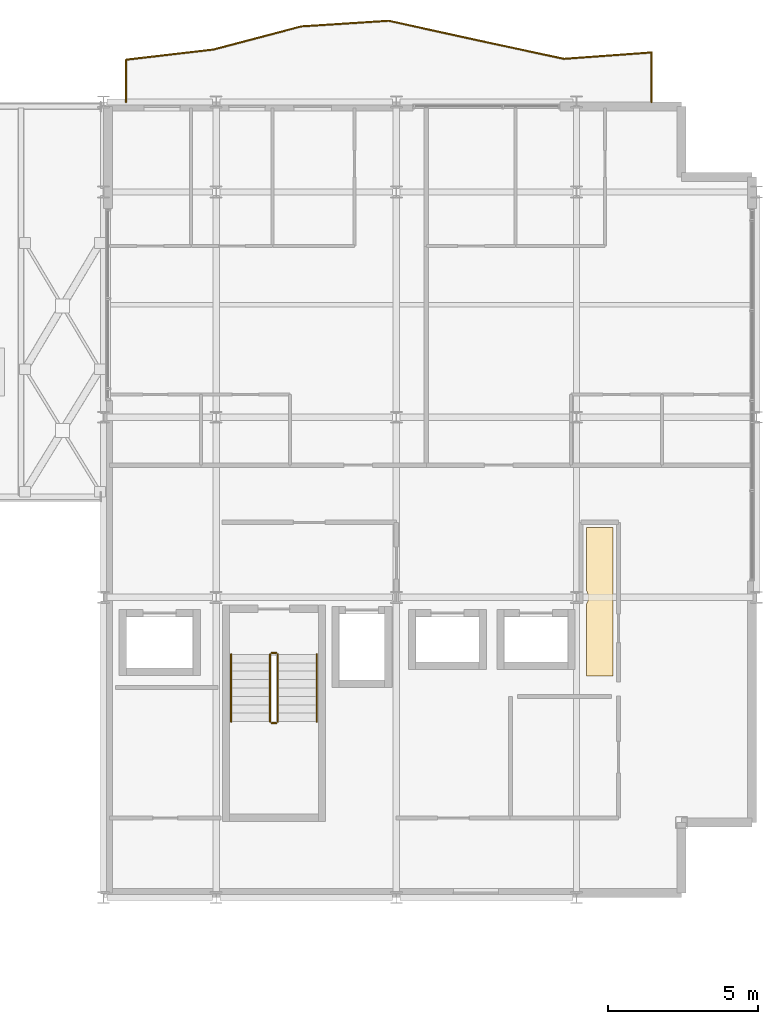
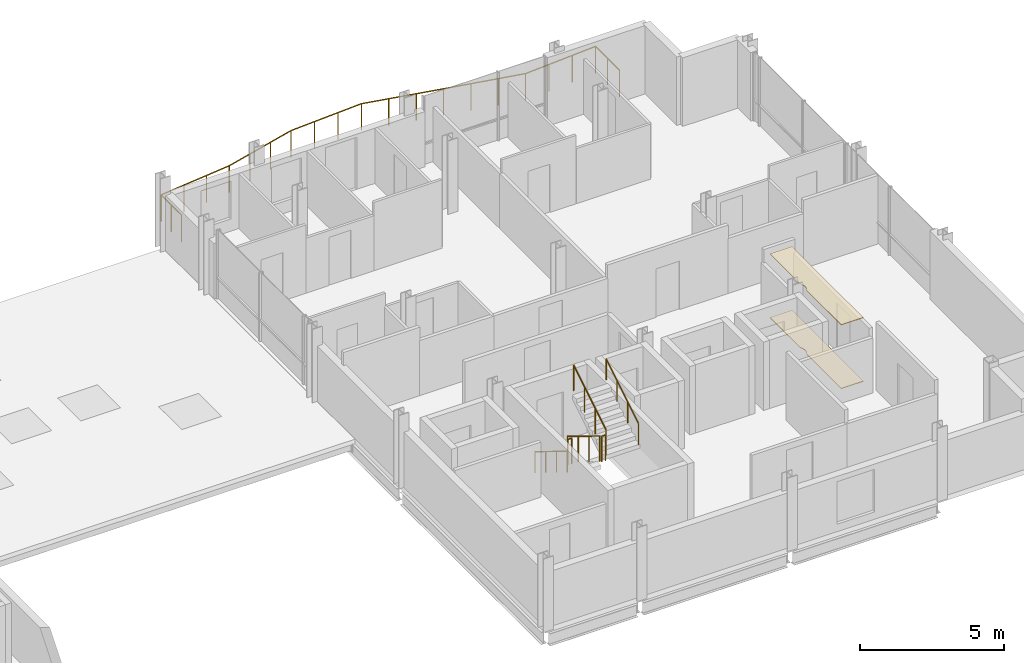
# One storey, part 33 of 33: 7 railings, 2 coverings.
"""IFC4 building model written with IfcOpenShell, lengths in metres."""

from ifc_helpers import new_model, si_unit, direction, frame, origin, origin_2d, place, context, subcontext, project, spatial, polyline, circle, outline, extrude, material, layer, layer_set, type_object, element, save


model = new_model("IFC4")

# Units and contexts
model_context = context("Model", 3, precision=1e-05, world=origin(), true_north=direction((0.0, 1.0)))
body_context = subcontext(model_context, "Body", "Model", "MODEL_VIEW")
ifc_project = project(units=[si_unit("LENGTHUNIT", "METRE"), si_unit("AREAUNIT", "SQUARE_METRE"), si_unit("VOLUMEUNIT", "CUBIC_METRE"), si_unit("PLANEANGLEUNIT", "RADIAN"), si_unit("MASSUNIT", "GRAM", prefix="KILO")], contexts=[model_context])

# Site, building, storey
site_placement = place(None, origin())
site = spatial("IfcSite", under=ifc_project, at=site_placement, CompositionType="ELEMENT")
building_placement = place(site_placement, origin())
building = spatial("IfcBuilding", under=site, at=building_placement, Name="Brevholm Reach", CompositionType="ELEMENT")
storey_placement = place(building_placement, frame((0.0, 0.0, 189.39990234375)))
storey = spatial("IfcBuildingStorey", under=building, at=storey_placement, Name="L57", CompositionType="ELEMENT", Elevation=189.39990234375)

# Coverings
ifc_material_1 = material(Name="Moisture-Resistant Skimmed Gypsum Plasterboard Ceiling", Category="gypsum")
ifc_layer_1 = layer(ifc_material_1, 0.030029296875)
ifc_layer_set_1 = layer_set([ifc_layer_1], Name="Moisture-Resistant Skimmed Gypsum Plasterboard Ceiling")
covering_type_1 = type_object("IfcCoveringType", Name="COV-CLG-GYP", PredefinedType="CEILING", material=ifc_layer_set_1)
covering_1_placement = place(storey_placement, frame((0.0, 0.0, 2.690185546875)))
element("IfcCovering", 1, at=covering_1_placement, inside=storey, type_object=covering_type_1, Name="L57 Suspended Ceiling L57-21", PredefinedType="CEILING", context=body_context, shape_type="SweptSolid", body=[
    extrude(outline(polyline([(54.330078125, 9.7626953125), (54.33056640625, 9.764892578125), (54.33251953125, 9.777587890625), (54.33251953125, 9.77783203125), (54.352783203125, 9.811279296875), (54.36962890625, 9.846923828125), (54.3828125, 9.8837890625), (54.392333984375, 9.922119140625), (54.398193359375, 9.960693359375), (54.39990234375, 10.0), (54.398193359375, 10.039306640625), (54.392333984375, 10.077880859375), (54.3828125, 10.1162109375), (54.36962890625, 10.153076171875), (54.352783203125, 10.188720703125), (54.333984375, 10.219970703125), (54.333984375, 12.320068359375), (55.216064453125, 12.320068359375), (55.216064453125, 7.3798828125), (54.330078125, 7.3798828125), (54.330078125, 9.7626953125)])), origin(), (0.0, 0.0, 1.0), 0.030029296875),
])
ifc_material_2 = material(Name="Honed Portland-Aggregate Resin Terrazzo Flooring", Category="concrete")
ifc_layer_2 = layer(ifc_material_2, 0.031982421875)
ifc_layer_set_2 = layer_set([ifc_layer_2], Name="Honed Portland-Aggregate Resin Terrazzo Flooring")
covering_type_2 = type_object("IfcCoveringType", Name="COV-FLR-TRZ", PredefinedType="FLOORING", material=ifc_layer_set_2)
covering_2_placement = place(storey_placement, origin())
element("IfcCovering", 2, at=covering_2_placement, inside=storey, type_object=covering_type_2, Name="L57 Floor Finish L57-21", PredefinedType="FLOORING", context=body_context, shape_type="SweptSolid", body=[
    extrude(outline(polyline([(54.330078125, 9.7626953125), (54.33056640625, 9.764892578125), (54.33251953125, 9.777587890625), (54.33251953125, 9.77783203125), (54.352783203125, 9.811279296875), (54.36962890625, 9.846923828125), (54.3828125, 9.8837890625), (54.392333984375, 9.922119140625), (54.398193359375, 9.960693359375), (54.39990234375, 10.0), (54.398193359375, 10.039306640625), (54.392333984375, 10.077880859375), (54.3828125, 10.1162109375), (54.36962890625, 10.153076171875), (54.352783203125, 10.188720703125), (54.333984375, 10.219970703125), (54.333984375, 12.320068359375), (55.216064453125, 12.320068359375), (55.216064453125, 7.3798828125), (54.330078125, 7.3798828125), (54.330078125, 9.7626953125)])), origin(), (0.0, 0.0, 1.0), 0.031982421875),
])

# Railings
ifc_material_3 = material(Name="Brushed Stainless Steel EN 1.4401 and Laminated Glass", Category="steel")
railing_type_1 = type_object("IfcRailingType", Name="RAL-BALC-1150", PredefinedType="BALUSTRADE", material=ifc_material_3)
railing_1_placement = place(storey_placement, frame((56.5, 26.5, 0.0)))
element("IfcRailing", 3, at=railing_1_placement, inside=storey, type_object=railing_type_1, Name="L57 Guard Balustrade RAL-L57-BAL-NE", PredefinedType="BALUSTRADE", context=body_context, shape_type="SweptSolid", body=[
    extrude(circle(Radius=0.02392578125, at=origin_2d()), frame((0.0, 0.0, 1.1259765625), z_axis=(0.0, 1.0, 0.0), x_axis=(-1.0, 0.0, 0.0)), (0.0, 0.0, 1.0), 1.650146484375),
    extrude(circle(Radius=0.02392578125, at=origin_2d()), frame((0.0, 1.650146484375, 1.1259765625), z_axis=(-0.997334760815, -0.072961461535, 0.0), x_axis=(0.072961461535, -0.997334760815, 0.0)), (0.0, 0.0, 1.0), 2.924560546875),
    extrude(circle(Radius=0.02392578125, at=origin_2d()), frame((-2.916748046875, 1.436767578125, 1.1259765625), z_axis=(-0.977699293222, 0.21000974271, 0.0), x_axis=(-0.21000974271, -0.977699293222, 0.0)), (0.0, 0.0, 1.0), 2.98291015625),
    extrude(circle(Radius=0.02392578125, at=origin_2d()), frame((-5.833251953125, 2.063232421875, 1.1259765625), z_axis=(-0.976633143635, 0.214913244715, 0.0), x_axis=(-0.214913244715, -0.976633143635, 0.0)), (0.0, 0.0, 1.0), 2.986572265625),
    extrude(circle(Radius=0.02392578125, at=origin_2d()), frame((-8.75, 2.705078125, 1.1259765625), z_axis=(-0.997945514781, -0.06406831923, 0.0), x_axis=(0.06406831923, -0.997945514781, 0.0)), (0.0, 0.0, 1.0), 2.9228515625),
    extrude(circle(Radius=0.02392578125, at=origin_2d()), frame((-11.666748046875, 2.517822265625, 1.1259765625), z_axis=(-0.966868735292, -0.255274065889, 0.0), x_axis=(0.255274065889, -0.966868735292, 0.0)), (0.0, 0.0, 1.0), 3.016357421875),
    extrude(circle(Radius=0.02392578125, at=origin_2d()), frame((-14.583251953125, 1.747802734375, 1.1259765625), z_axis=(-0.99329006652, -0.11564965954, 0.0), x_axis=(0.11564965954, -0.99329006652, 0.0)), (0.0, 0.0, 1.0), 2.9365234375),
    extrude(circle(Radius=0.02392578125, at=origin_2d()), frame((-17.5, 1.408203125, 1.1259765625), z_axis=(0.0, -1.0, 0.0), x_axis=(1.0, 0.0, 0.0)), (0.0, 0.0, 1.0), 1.408203125),
    extrude(circle(Radius=0.02099609375, at=origin_2d()), origin(), (0.0, 0.0, 1.0), 1.101806640625),
    extrude(circle(Radius=0.02099609375, at=origin_2d()), frame((0.0, 0.8251953125, 0.0)), (0.0, 0.0, 1.0), 1.101806640625),
    extrude(circle(Radius=0.02099609375, at=origin_2d()), frame((0.0, 1.650146484375, 0.0)), (0.0, 0.0, 1.0), 1.101806640625),
    extrude(circle(Radius=0.02099609375, at=origin_2d()), frame((-0.97216796875, 1.5791015625, 0.0)), (0.0, 0.0, 1.0), 1.101806640625),
    extrude(circle(Radius=0.02099609375, at=origin_2d()), frame((-1.944580078125, 1.5078125, 0.0)), (0.0, 0.0, 1.0), 1.101806640625),
    extrude(circle(Radius=0.02099609375, at=origin_2d()), frame((-2.916748046875, 1.436767578125, 0.0)), (0.0, 0.0, 1.0), 1.101806640625),
    extrude(circle(Radius=0.02099609375, at=origin_2d()), frame((-3.888916015625, 1.6455078125, 0.0)), (0.0, 0.0, 1.0), 1.101806640625),
    extrude(circle(Radius=0.02099609375, at=origin_2d()), frame((-4.861083984375, 1.8544921875, 0.0)), (0.0, 0.0, 1.0), 1.101806640625),
    extrude(circle(Radius=0.02099609375, at=origin_2d()), frame((-5.833251953125, 2.063232421875, 0.0)), (0.0, 0.0, 1.0), 1.101806640625),
    extrude(circle(Radius=0.02099609375, at=origin_2d()), frame((-6.805419921875, 2.277099609375, 0.0)), (0.0, 0.0, 1.0), 1.101806640625),
    extrude(circle(Radius=0.02099609375, at=origin_2d()), frame((-7.77783203125, 2.4912109375, 0.0)), (0.0, 0.0, 1.0), 1.101806640625),
    extrude(circle(Radius=0.02099609375, at=origin_2d()), frame((-8.75, 2.705078125, 0.0)), (0.0, 0.0, 1.0), 1.101806640625),
    extrude(circle(Radius=0.02099609375, at=origin_2d()), frame((-9.72216796875, 2.642578125, 0.0)), (0.0, 0.0, 1.0), 1.101806640625),
    extrude(circle(Radius=0.02099609375, at=origin_2d()), frame((-10.694580078125, 2.580322265625, 0.0)), (0.0, 0.0, 1.0), 1.101806640625),
    extrude(circle(Radius=0.02099609375, at=origin_2d()), frame((-11.666748046875, 2.517822265625, 0.0)), (0.0, 0.0, 1.0), 1.101806640625),
    extrude(circle(Radius=0.02099609375, at=origin_2d()), frame((-12.638916015625, 2.26123046875, 0.0)), (0.0, 0.0, 1.0), 1.101806640625),
    extrude(circle(Radius=0.02099609375, at=origin_2d()), frame((-13.611083984375, 2.00439453125, 0.0)), (0.0, 0.0, 1.0), 1.101806640625),
    extrude(circle(Radius=0.02099609375, at=origin_2d()), frame((-14.583251953125, 1.747802734375, 0.0)), (0.0, 0.0, 1.0), 1.101806640625),
    extrude(circle(Radius=0.02099609375, at=origin_2d()), frame((-15.555419921875, 1.634521484375, 0.0)), (0.0, 0.0, 1.0), 1.101806640625),
    extrude(circle(Radius=0.02099609375, at=origin_2d()), frame((-16.52783203125, 1.521484375, 0.0)), (0.0, 0.0, 1.0), 1.101806640625),
    extrude(circle(Radius=0.02099609375, at=origin_2d()), frame((-17.5, 1.408203125, 0.0)), (0.0, 0.0, 1.0), 1.101806640625),
    extrude(circle(Radius=0.02099609375, at=origin_2d()), frame((-17.5, 0.7041015625, 0.0)), (0.0, 0.0, 1.0), 1.101806640625),
    extrude(circle(Radius=0.02099609375, at=origin_2d()), frame((-17.5, 0.0, 0.0)), (0.0, 0.0, 1.0), 1.101806640625),
])
ifc_material_4 = material(Name="Brushed Stainless Steel EN 1.4401 Continuous Handrail", Category="steel")
railing_type_2 = type_object("IfcRailingType", Name="RAL-HND-950", PredefinedType="HANDRAIL", material=ifc_material_4)
railing_2_placement = place(storey_placement, frame((42.5, 8.10009765625, 0.17236328125)))
element("IfcRailing", 4, at=railing_2_placement, inside=storey, type_object=railing_type_2, Name="L57 ST-2 stair handrail 1", PredefinedType="HANDRAIL", context=body_context, shape_type="SweptSolid", body=[
    extrude(circle(Radius=0.02392578125, at=origin_2d()), frame((0.0, 0.0, 0.8857421875), z_axis=(0.0, -0.85178898068, 0.523885037382), x_axis=(1.0, 0.0, 0.0)), (0.0, 0.0, 1.0), 2.629638671875),
    extrude(circle(Radius=0.02099609375, at=origin_2d()), origin(), (0.0, 0.0, 1.0), 0.86181640625),
    extrude(circle(Radius=0.02099609375, at=origin_2d()), frame((0.0, -0.74658203125, 0.459228515625)), (0.0, 0.0, 1.0), 0.86181640625),
    extrude(circle(Radius=0.02099609375, at=origin_2d()), frame((0.0, -1.493408203125, 0.91845703125)), (0.0, 0.0, 1.0), 0.86181640625),
    extrude(circle(Radius=0.02099609375, at=origin_2d()), frame((0.0, -2.239990234375, 1.377685546875)), (0.0, 0.0, 1.0), 0.86181640625),
])
railing_3_placement = place(storey_placement, frame((45.35009765625, 5.860107421875, 1.722412109375)))
element("IfcRailing", 5, at=railing_3_placement, inside=storey, type_object=railing_type_2, Name="L57 ST-2 stair handrail 2", PredefinedType="HANDRAIL", context=body_context, shape_type="SweptSolid", body=[
    extrude(circle(Radius=0.02392578125, at=origin_2d()), frame((0.0, 0.0, 0.8857421875), z_axis=(0.0, 0.85178898068, 0.523885037382), x_axis=(-1.0, 0.0, 0.0)), (0.0, 0.0, 1.0), 2.629638671875),
    extrude(circle(Radius=0.02099609375, at=origin_2d()), origin(), (0.0, 0.0, 1.0), 0.86181640625),
    extrude(circle(Radius=0.02099609375, at=origin_2d()), frame((0.0, 0.74658203125, 0.459228515625)), (0.0, 0.0, 1.0), 0.86181640625),
    extrude(circle(Radius=0.02099609375, at=origin_2d()), frame((0.0, 1.493408203125, 0.91845703125)), (0.0, 0.0, 1.0), 0.86181640625),
    extrude(circle(Radius=0.02099609375, at=origin_2d()), frame((0.0, 2.239990234375, 1.377685546875)), (0.0, 0.0, 1.0), 0.86181640625),
])
ifc_material_5 = material(Name="Painted Tubular Galvanised Steel S275JR Stair Guard", Category="steel")
railing_type_3 = type_object("IfcRailingType", Name="RAL-STG-1120", PredefinedType="BALUSTRADE", material=ifc_material_5)
railing_4_placement = place(storey_placement, frame((43.800048828125, 8.10009765625, 0.17236328125)))
element("IfcRailing", 6, at=railing_4_placement, inside=storey, type_object=railing_type_3, Name="L57 ST-2 stair guard 1", PredefinedType="BALUSTRADE", context=body_context, shape_type="SweptSolid", body=[
    extrude(circle(Radius=0.02392578125, at=origin_2d()), frame((0.0, 0.0, 1.076171875), z_axis=(0.0, -0.85178898068, 0.523885037382), x_axis=(1.0, 0.0, 0.0)), (0.0, 0.0, 1.0), 2.629638671875),
    extrude(circle(Radius=0.02099609375, at=origin_2d()), origin(), (0.0, 0.0, 1.0), 1.052001953125),
    extrude(circle(Radius=0.02099609375, at=origin_2d()), frame((0.0, -0.74658203125, 0.459228515625)), (0.0, 0.0, 1.0), 1.052001953125),
    extrude(circle(Radius=0.02099609375, at=origin_2d()), frame((0.0, -1.493408203125, 0.91845703125)), (0.0, 0.0, 1.0), 1.052001953125),
    extrude(circle(Radius=0.02099609375, at=origin_2d()), frame((0.0, -2.239990234375, 1.377685546875)), (0.0, 0.0, 1.0), 1.052001953125),
])
railing_5_placement = place(storey_placement, frame((43.85009765625, 5.81005859375, 1.550048828125)))
element("IfcRailing", 7, at=railing_5_placement, inside=storey, type_object=railing_type_3, Name="L57 ST-2 stair guard 2", PredefinedType="BALUSTRADE", context=body_context, shape_type="SweptSolid", body=[
    extrude(circle(Radius=0.02392578125, at=origin_2d()), frame((0.0, 0.0, 1.076171875), z_axis=(1.0, 0.0, 0.0), x_axis=(0.0, 1.0, 0.0)), (0.0, 0.0, 1.0), 0.14990234375),
    extrude(circle(Radius=0.02099609375, at=origin_2d()), origin(), (0.0, 0.0, 1.0), 1.052001953125),
    extrude(circle(Radius=0.02099609375, at=origin_2d()), frame((0.14990234375, 0.0, 0.0)), (0.0, 0.0, 1.0), 1.052001953125),
])
railing_6_placement = place(storey_placement, frame((44.050048828125, 5.860107421875, 1.722412109375)))
element("IfcRailing", 8, at=railing_6_placement, inside=storey, type_object=railing_type_3, Name="L57 ST-2 stair guard 3", PredefinedType="BALUSTRADE", context=body_context, shape_type="SweptSolid", body=[
    extrude(circle(Radius=0.02392578125, at=origin_2d()), frame((0.0, 0.0, 1.076171875), z_axis=(0.0, 0.85178898068, 0.523885037382), x_axis=(-1.0, 0.0, 0.0)), (0.0, 0.0, 1.0), 2.629638671875),
    extrude(circle(Radius=0.02099609375, at=origin_2d()), origin(), (0.0, 0.0, 1.0), 1.052001953125),
    extrude(circle(Radius=0.02099609375, at=origin_2d()), frame((0.0, 0.74658203125, 0.459228515625)), (0.0, 0.0, 1.0), 1.052001953125),
    extrude(circle(Radius=0.02099609375, at=origin_2d()), frame((0.0, 1.493408203125, 0.91845703125)), (0.0, 0.0, 1.0), 1.052001953125),
    extrude(circle(Radius=0.02099609375, at=origin_2d()), frame((0.0, 2.239990234375, 1.377685546875)), (0.0, 0.0, 1.0), 1.052001953125),
])
railing_7_placement = place(storey_placement, frame((43.85009765625, 8.14990234375, 0.0)))
element("IfcRailing", 9, at=railing_7_placement, inside=storey, type_object=railing_type_3, Name="L57 ST-2 stair guard 4", PredefinedType="BALUSTRADE", context=body_context, shape_type="SweptSolid", body=[
    extrude(circle(Radius=0.02392578125, at=origin_2d()), frame((0.0, 0.0, 1.076171875), z_axis=(1.0, 0.0, 0.0), x_axis=(0.0, 1.0, 0.0)), (0.0, 0.0, 1.0), 0.14990234375),
    extrude(circle(Radius=0.02099609375, at=origin_2d()), origin(), (0.0, 0.0, 1.0), 1.052001953125),
    extrude(circle(Radius=0.02099609375, at=origin_2d()), frame((0.14990234375, 0.0, 0.0)), (0.0, 0.0, 1.0), 1.052001953125),
])

save(model, "model.ifc")
